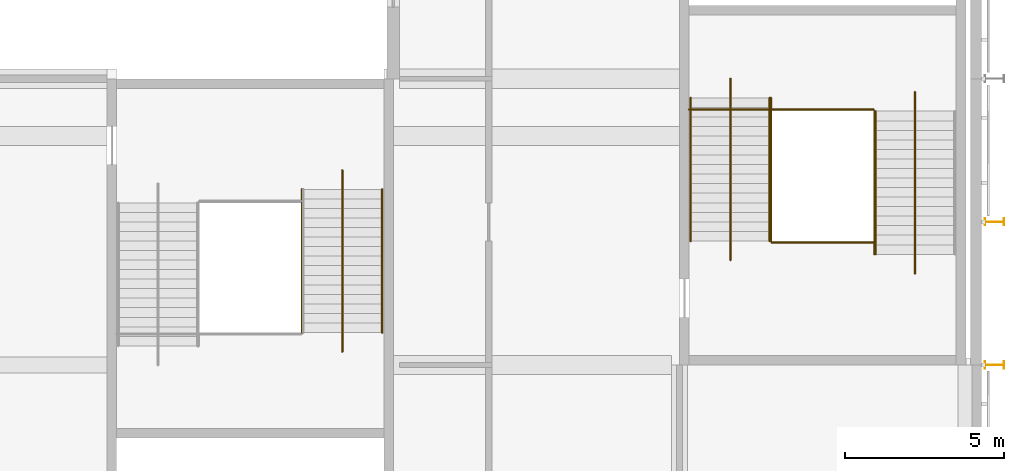
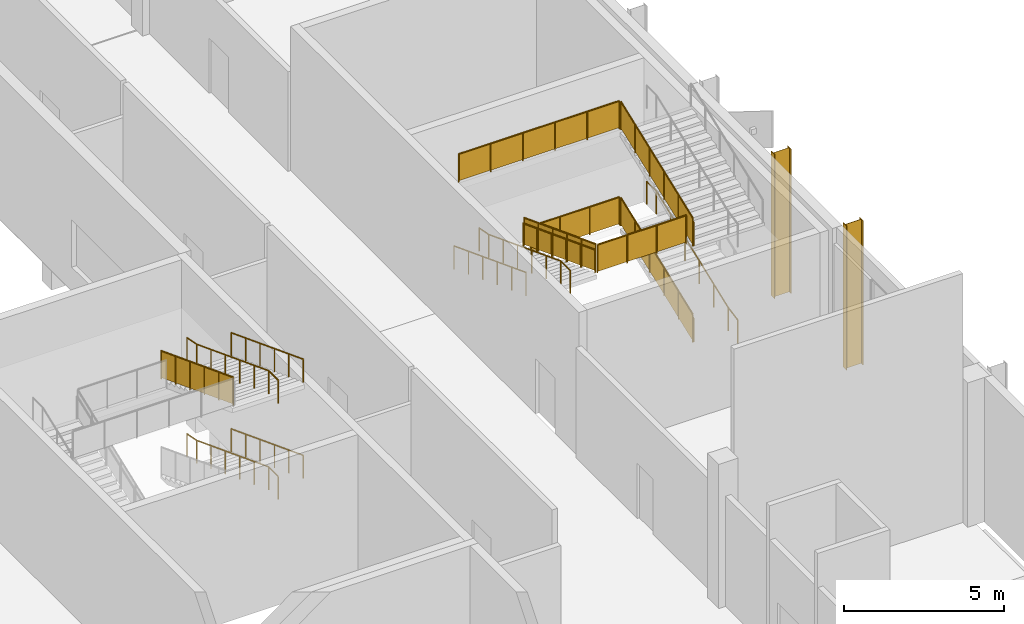
# One storey, part 80 of 84: 17 railings, 2 shading devices.
"""IFC4 building model written with IfcOpenShell, lengths in metres."""

import ifcopenshell
import ifcopenshell.guid

model = None  # the IFC model being written
_history = None  # IfcOwnerHistory: only IFC2X3 demands one
_inside = {}  # id of a spatial element -> (the spatial element, [elements in it])
_under = {}  # id of a project, library or spatial element -> (it, [spatial elements below it])
_declared = {}  # id of a project -> (the project, [libraries it declares])
_typed = {}  # id of a type object -> (the type object, [elements of that type])
_made_of = {}  # id of a material, layer set ... -> (it, [elements and type objects made of it])


def new_model(schema):
    """Start an empty IFC model of exactly this schema.

    Asked for "IFC4X3", IfcOpenShell would pick the latest addendum, in which some entities
    have other attributes; the version numbers below select the first issue.
    IFC2X3 requires an IfcOwnerHistory on every rooted entity: one is made here for all.
    """
    global model, _history
    if schema == "IFC4X3":
        model = ifcopenshell.file(schema_version=(4, 3, 0, 0))
    else:
        model = ifcopenshell.file(schema=schema)
    _inside.clear()
    _under.clear()
    _declared.clear()
    _typed.clear()
    _made_of.clear()
    _history = None
    if model.schema == "IFC2X3":
        org = make("IfcOrganization", Name="unknown")
        user = make(
            "IfcPersonAndOrganization",
            ThePerson=make("IfcPerson", FamilyName="unknown"),
            TheOrganization=org,
        )
        app = make(
            "IfcApplication",
            ApplicationDeveloper=org,
            Version="unknown",
            ApplicationFullName="unknown",
            ApplicationIdentifier="unknown",
        )
        _history = make(
            "IfcOwnerHistory",
            OwningUser=user,
            OwningApplication=app,
            ChangeAction="ADDED",
            CreationDate=0,
        )
    return model


def make(cls, **values):
    """One entity of the class cls with the attributes given. An attribute that is None is left unset."""
    return model.create_entity(
        cls, **{name: value for name, value in values.items() if value is not None}
    )


def rooted(cls, **values):
    """An entity with a GlobalId (a new one), such as an element, a storey or a relation."""
    return make(cls, GlobalId=ifcopenshell.guid.new(), OwnerHistory=_history, **values)


def si_unit(unit_type, name, prefix=None):
    """IfcSIUnit, for example si_unit("LENGTHUNIT", "METRE", prefix="MILLI")."""
    return make("IfcSIUnit", UnitType=unit_type, Prefix=prefix, Name=name)


def assignment(units):
    """IfcUnitAssignment: the units of a project."""
    return None if units is None else make("IfcUnitAssignment", Units=units)


def point(xyz):
    """IfcCartesianPoint."""
    return None if xyz is None else make("IfcCartesianPoint", Coordinates=xyz)


def direction(xyz):
    """IfcDirection."""
    return None if xyz is None else make("IfcDirection", DirectionRatios=xyz)


def frame(location, z_axis=None, x_axis=None):
    """IfcAxis2Placement3D, a coordinate frame: its origin and axes. An axis left out is left unset."""
    return make(
        "IfcAxis2Placement3D",
        Location=point(location),
        Axis=direction(z_axis),
        RefDirection=direction(x_axis),
    )


def frame_2d(location, x_axis=None):
    """IfcAxis2Placement2D, a coordinate frame in the plane: its origin and x axis."""
    return make(
        "IfcAxis2Placement2D", Location=point(location), RefDirection=direction(x_axis)
    )


def origin():
    """The frame at (0, 0, 0) with its axes left unset."""
    return frame((0.0, 0.0, 0.0))


def origin_2d():
    """The frame at (0, 0) in the plane with its x axis left unset."""
    return frame_2d((0.0, 0.0))


def place(relative_to, where):
    """IfcLocalPlacement: puts the frame where relative to a parent placement (None: the world)."""
    return make(
        "IfcLocalPlacement", PlacementRelTo=relative_to, RelativePlacement=where
    )


def context(
    kind, dimensions, precision=None, world=None, true_north=None, identifier=None
):
    """IfcGeometricRepresentationContext, for example the 3D "Model" context."""
    return make(
        "IfcGeometricRepresentationContext",
        ContextIdentifier=identifier,
        ContextType=kind,
        CoordinateSpaceDimension=dimensions,
        Precision=precision,
        WorldCoordinateSystem=world,
        TrueNorth=true_north,
    )


def subcontext(parent, identifier, kind, view, scale=None):
    """IfcGeometricRepresentationSubContext, for example "Body" below "Model"."""
    return make(
        "IfcGeometricRepresentationSubContext",
        ContextIdentifier=identifier,
        ContextType=kind,
        ParentContext=parent,
        TargetScale=scale,
        TargetView=view,
    )


def project(units=None, contexts=None):
    """IfcProject with its units and contexts."""
    return rooted(
        "IfcProject",
        Name="project",
        RepresentationContexts=contexts,
        UnitsInContext=assignment(units),
    )


def spatial(cls, under=None, at=None, **own):
    """A site, building, storey or space (cls), placed at a placement, below another one or the project."""
    s = rooted(cls, ObjectPlacement=at, **own)
    if under is not None:
        _under.setdefault(under.id(), (under, []))[1].append(s)
    return s


def polyline(points):
    """IfcPolyline through the points."""
    return make("IfcPolyline", Points=[point(p) for p in points])


def profile(cls, at=None, kind="AREA", **sizes):
    """A parametric profile (cls). Its sizes go by their IFC names, for example OverallWidth=200.0."""
    return make(cls, ProfileType=kind, Position=at, **sizes)


def circle(**sizes):
    """IfcCircleProfileDef."""
    return profile("IfcCircleProfileDef", **sizes)


def i_section(**sizes):
    """IfcIShapeProfileDef."""
    return profile("IfcIShapeProfileDef", **sizes)


def outline(outer, holes=None, kind="AREA"):
    """IfcArbitraryClosedProfileDef: a profile drawn as a closed curve; with holes, ...WithVoids."""
    if holes is None:
        return make("IfcArbitraryClosedProfileDef", ProfileType=kind, OuterCurve=outer)
    return make(
        "IfcArbitraryProfileDefWithVoids",
        ProfileType=kind,
        OuterCurve=outer,
        InnerCurves=holes,
    )


def extrude(swept, where, along, depth):
    """IfcExtrudedAreaSolid: the profile swept, set in the frame where, extruded along a direction by depth."""
    return make(
        "IfcExtrudedAreaSolid",
        SweptArea=swept,
        Position=where,
        ExtrudedDirection=direction(along),
        Depth=depth,
    )


def shape(context_of_items, identifier, shape_type, items):
    """IfcShapeRepresentation: the items that make up one representation, for example the "Body"."""
    return make(
        "IfcShapeRepresentation",
        ContextOfItems=context_of_items,
        RepresentationIdentifier=identifier,
        RepresentationType=shape_type,
        Items=items,
    )


def material(Name=None, Category=None):
    """IfcMaterial."""
    return make("IfcMaterial", Name=Name, Category=Category)


def material_profile(
    of_material, cross_section, Name=None, Category=None, Priority=None
):
    """IfcMaterialProfile: a cross section and its material."""
    return make(
        "IfcMaterialProfile",
        Name=Name,
        Material=of_material,
        Profile=cross_section,
        Priority=Priority,
        Category=Category,
    )


def profile_set(profiles, Name=None, composite=None):
    """IfcMaterialProfileSet."""
    return make(
        "IfcMaterialProfileSet",
        Name=Name,
        MaterialProfiles=profiles,
        CompositeProfile=composite,
    )


def made_of(thing, what):
    """Note that an element or type object is made of a material, layer set ...; save() writes the relation."""
    if what is not None:
        _made_of.setdefault(what.id(), (what, []))[1].append(thing)
    return thing


def type_object(cls, material=None, **own):
    """A type object (cls), such as IfcWallType, which elements share."""
    return made_of(rooted(cls, **own), material)


def element(
    cls,
    number,
    at=None,
    inside=None,
    cuts=None,
    type_object=None,
    material=None,
    context=None,
    identifier="Body",
    shape_type=None,
    held_by="IfcProductDefinitionShape",
    body=None,
    shapes=None,
    **own,
):
    """One element of the class cls, such as IfcWall. Its Tag is "e" and its number.

    at: its placement. inside: the storey or other place that contains it. cuts: it is an
    opening in that element (IfcRelVoidsElement). A single representation is given by context,
    identifier, shape_type and body (its items); several are given by shapes. held_by: the class
    of the entity that holds the representations. save() writes the other relations.
    """
    e = rooted(cls, Tag="e%d" % number, ObjectPlacement=at, **own)
    if body is not None:
        shapes = [shape(context, identifier, shape_type, body)]
    if shapes is not None:
        e.Representation = make(held_by, Representations=shapes)
    if inside is not None:
        _inside.setdefault(inside.id(), (inside, []))[1].append(e)
    if cuts is not None:
        rooted(
            "IfcRelVoidsElement", RelatingBuildingElement=cuts, RelatedOpeningElement=e
        )
    if type_object is not None:
        _typed.setdefault(type_object.id(), (type_object, []))[1].append(e)
    return made_of(e, material)


def aggregate(whole, parts):
    """IfcRelAggregates: a whole, such as a stair, and the parts it consists of."""
    return rooted("IfcRelAggregates", RelatingObject=whole, RelatedObjects=parts)


def save(model, path):
    """Write the relations noted so far, then the file.

    IfcRelAggregates (storeys below a building ...), IfcRelContainedInSpatialStructure (elements
    in a storey), IfcRelDefinesByType, IfcRelAssociatesMaterial and IfcRelDeclares: one each for
    every whole, place, type object, material and project.
    """
    for whole, parts in _under.values():
        aggregate(whole, parts)
    for where, things in _inside.values():
        rooted(
            "IfcRelContainedInSpatialStructure",
            RelatedElements=things,
            RelatingStructure=where,
        )
    for kind, things in _typed.values():
        rooted("IfcRelDefinesByType", RelatedObjects=things, RelatingType=kind)
    for what, things in _made_of.values():
        rooted("IfcRelAssociatesMaterial", RelatedObjects=things, RelatingMaterial=what)
    for by, libraries in _declared.values():
        rooted("IfcRelDeclares", RelatingContext=by, RelatedDefinitions=libraries)
    model.write(path)


model = new_model("IFC4")

# Units and contexts
model_context = context("Model", 3, precision=1e-05, world=origin(), true_north=direction((0.0, 1.0)))
body_context = subcontext(model_context, "Body", "Model", "MODEL_VIEW")
ifc_project = project(units=[si_unit("LENGTHUNIT", "METRE"), si_unit("AREAUNIT", "SQUARE_METRE"), si_unit("VOLUMEUNIT", "CUBIC_METRE"), si_unit("PLANEANGLEUNIT", "RADIAN"), si_unit("MASSUNIT", "GRAM", prefix="KILO")], contexts=[model_context])

# Site, building, storey
site_placement = place(None, origin())
site = spatial("IfcSite", under=ifc_project, at=site_placement, CompositionType="ELEMENT")
building_placement = place(site_placement, origin())
building = spatial("IfcBuilding", under=site, at=building_placement, Name="Silverbay Arena", CompositionType="ELEMENT")
storey_placement = place(building_placement, frame((0.0, 0.0, 28.0)))
storey = spatial("IfcBuildingStorey", under=building, at=storey_placement, Name="L04", CompositionType="ELEMENT", Elevation=28.0)

# Railings
ifc_material_1 = material(Name="Stainless steel", Category="steel")
railing_type_1 = type_object("IfcRailingType", Name="Stair guard 1100", PredefinedType="GUARDRAIL", material=ifc_material_1)
railing_1_placement = place(storey_placement, frame((204.125, 57.4794921875, 0.114501953125)))
element("IfcRailing", 1, at=railing_1_placement, inside=storey, type_object=railing_type_1, Name="Stair ST-E1 L04 to L05 flight 1 guard left", PredefinedType="GUARDRAIL", context=body_context, shape_type="SweptSolid", body=[
    extrude(circle(Radius=0.02392578125, at=origin_2d()), frame((0.0, 0.0, 1.076171875), z_axis=(0.0, 0.93417907455, 0.356804507641), x_axis=(-1.0, 0.0, 0.0)), (0.0, 0.0, 1.0), 4.817138671875),
    extrude(outline(polyline([(-0.008056640625, 0.046875), (0.907958984375, 0.396728515625), (0.907958984375, 1.39990234375), (-0.008056640625, 1.050048828125), (-0.008056640625, 0.046875)])), frame((-0.0029296875, 0.0, 0.0), z_axis=(1.0, 0.0, 0.0), x_axis=(0.0, 1.0, 0.0)), (0.0, 0.0, 1.0), 0.006103515625),
    extrude(outline(polyline([(-0.008056640625, 0.390625), (0.907958984375, 0.740478515625), (0.907958984375, 1.74365234375), (-0.008056640625, 1.393798828125), (-0.008056640625, 0.390625)])), frame((-0.0029296875, 0.89990234375, 0.0), z_axis=(1.0, 0.0, 0.0), x_axis=(0.0, 1.0, 0.0)), (0.0, 0.0, 1.0), 0.006103515625),
    extrude(outline(polyline([(-0.008056640625, 0.734375), (0.907958984375, 1.084228515625), (0.907958984375, 2.08740234375), (-0.008056640625, 1.737548828125), (-0.008056640625, 0.734375)])), frame((-0.0029296875, 1.800048828125, 0.0), z_axis=(1.0, 0.0, 0.0), x_axis=(0.0, 1.0, 0.0)), (0.0, 0.0, 1.0), 0.006103515625),
    extrude(outline(polyline([(-0.008056640625, 1.078125), (0.907958984375, 1.427978515625), (0.907958984375, 2.43115234375), (-0.008056640625, 2.081298828125), (-0.008056640625, 1.078125)])), frame((-0.0029296875, 2.699951171875, 0.0), z_axis=(1.0, 0.0, 0.0), x_axis=(0.0, 1.0, 0.0)), (0.0, 0.0, 1.0), 0.006103515625),
    extrude(outline(polyline([(-0.008056640625, 1.421875), (0.907958984375, 1.771728515625), (0.907958984375, 2.77490234375), (-0.008056640625, 2.425048828125), (-0.008056640625, 1.421875)])), frame((-0.0029296875, 3.60009765625, 0.0), z_axis=(1.0, 0.0, 0.0), x_axis=(0.0, 1.0, 0.0)), (0.0, 0.0, 1.0), 0.006103515625),
    extrude(circle(Radius=0.02099609375, at=origin_2d()), origin(), (0.0, 0.0, 1.0), 1.052001953125),
    extrude(circle(Radius=0.02099609375, at=origin_2d()), frame((0.0, 0.89990234375, 0.34375)), (0.0, 0.0, 1.0), 1.052001953125),
    extrude(circle(Radius=0.02099609375, at=origin_2d()), frame((0.0, 1.800048828125, 0.6875)), (0.0, 0.0, 1.0), 1.052001953125),
    extrude(circle(Radius=0.02099609375, at=origin_2d()), frame((0.0, 2.699951171875, 1.03125)), (0.0, 0.0, 1.0), 1.052001953125),
    extrude(circle(Radius=0.02099609375, at=origin_2d()), frame((0.0, 3.60009765625, 1.375)), (0.0, 0.0, 1.0), 1.052001953125),
    extrude(circle(Radius=0.02099609375, at=origin_2d()), frame((0.0, 4.5, 1.71875)), (0.0, 0.0, 1.0), 1.052001953125),
])
railing_2_placement = place(storey_placement, frame((200.875, 62.39990234375, 1.947998046875)))
element("IfcRailing", 2, at=railing_2_placement, inside=storey, type_object=railing_type_1, Name="Stair ST-E1 L04 to L05 flight 2 guard right", PredefinedType="GUARDRAIL", context=body_context, shape_type="SweptSolid", body=[
    extrude(circle(Radius=0.02392578125, at=origin_2d()), frame((0.0, 0.0, 1.076171875), z_axis=(0.0, -0.93417907455, 0.356804507641), x_axis=(1.0, 0.0, 0.0)), (0.0, 0.0, 1.0), 4.817138671875),
    extrude(outline(polyline([(-0.008056640625, 0.046875), (0.907958984375, 0.396728515625), (0.907958984375, 1.39990234375), (-0.008056640625, 1.050048828125), (-0.008056640625, 0.046875)])), frame((0.0029296875, 0.0, 0.0), z_axis=(-1.0, 0.0, 0.0), x_axis=(0.0, -1.0, 0.0)), (0.0, 0.0, 1.0), 0.006103515625),
    extrude(outline(polyline([(-0.008056640625, 0.390625), (0.907958984375, 0.740478515625), (0.907958984375, 1.74365234375), (-0.008056640625, 1.393798828125), (-0.008056640625, 0.390625)])), frame((0.0029296875, -0.89990234375, 0.0), z_axis=(-1.0, 0.0, 0.0), x_axis=(0.0, -1.0, 0.0)), (0.0, 0.0, 1.0), 0.006103515625),
    extrude(outline(polyline([(-0.008056640625, 0.734375), (0.907958984375, 1.084228515625), (0.907958984375, 2.08740234375), (-0.008056640625, 1.737548828125), (-0.008056640625, 0.734375)])), frame((0.0029296875, -1.800048828125, 0.0), z_axis=(-1.0, 0.0, 0.0), x_axis=(0.0, -1.0, 0.0)), (0.0, 0.0, 1.0), 0.006103515625),
    extrude(outline(polyline([(-0.008056640625, 1.078125), (0.907958984375, 1.427978515625), (0.907958984375, 2.43115234375), (-0.008056640625, 2.081298828125), (-0.008056640625, 1.078125)])), frame((0.0029296875, -2.699951171875, 0.0), z_axis=(-1.0, 0.0, 0.0), x_axis=(0.0, -1.0, 0.0)), (0.0, 0.0, 1.0), 0.006103515625),
    extrude(outline(polyline([(-0.008056640625, 1.421875), (0.907958984375, 1.771728515625), (0.907958984375, 2.77490234375), (-0.008056640625, 2.425048828125), (-0.008056640625, 1.421875)])), frame((0.0029296875, -3.60009765625, 0.0), z_axis=(-1.0, 0.0, 0.0), x_axis=(0.0, -1.0, 0.0)), (0.0, 0.0, 1.0), 0.006103515625),
    extrude(circle(Radius=0.02099609375, at=origin_2d()), origin(), (0.0, 0.0, 1.0), 1.052001953125),
    extrude(circle(Radius=0.02099609375, at=origin_2d()), frame((0.0, -0.89990234375, 0.34375)), (0.0, 0.0, 1.0), 1.052001953125),
    extrude(circle(Radius=0.02099609375, at=origin_2d()), frame((0.0, -1.800048828125, 0.6875)), (0.0, 0.0, 1.0), 1.052001953125),
    extrude(circle(Radius=0.02099609375, at=origin_2d()), frame((0.0, -2.699951171875, 1.03125)), (0.0, 0.0, 1.0), 1.052001953125),
    extrude(circle(Radius=0.02099609375, at=origin_2d()), frame((0.0, -3.60009765625, 1.375)), (0.0, 0.0, 1.0), 1.052001953125),
    extrude(circle(Radius=0.02099609375, at=origin_2d()), frame((0.0, -4.5, 1.71875)), (0.0, 0.0, 1.0), 1.052001953125),
])
railing_3_placement = place(storey_placement, frame((204.125, 57.4794921875, 3.78125)))
element("IfcRailing", 3, at=railing_3_placement, inside=storey, type_object=railing_type_1, Name="Stair ST-E1 L04 to L05 flight 3 guard left", PredefinedType="GUARDRAIL", context=body_context, shape_type="SweptSolid", body=[
    extrude(circle(Radius=0.02392578125, at=origin_2d()), frame((0.0, 0.0, 1.076171875), z_axis=(0.0, 0.93417907455, 0.356804507641), x_axis=(-1.0, 0.0, 0.0)), (0.0, 0.0, 1.0), 4.817138671875),
    extrude(outline(polyline([(-0.008056640625, 0.046875), (0.907958984375, 0.396728515625), (0.907958984375, 1.39990234375), (-0.008056640625, 1.050048828125), (-0.008056640625, 0.046875)])), frame((-0.0029296875, 0.0, 0.0), z_axis=(1.0, 0.0, 0.0), x_axis=(0.0, 1.0, 0.0)), (0.0, 0.0, 1.0), 0.006103515625),
    extrude(outline(polyline([(-0.008056640625, 0.390625), (0.907958984375, 0.740478515625), (0.907958984375, 1.74365234375), (-0.008056640625, 1.393798828125), (-0.008056640625, 0.390625)])), frame((-0.0029296875, 0.89990234375, 0.0), z_axis=(1.0, 0.0, 0.0), x_axis=(0.0, 1.0, 0.0)), (0.0, 0.0, 1.0), 0.006103515625),
    extrude(outline(polyline([(-0.008056640625, 0.734375), (0.907958984375, 1.084228515625), (0.907958984375, 2.08740234375), (-0.008056640625, 1.737548828125), (-0.008056640625, 0.734375)])), frame((-0.0029296875, 1.800048828125, 0.0), z_axis=(1.0, 0.0, 0.0), x_axis=(0.0, 1.0, 0.0)), (0.0, 0.0, 1.0), 0.006103515625),
    extrude(outline(polyline([(-0.008056640625, 1.078125), (0.907958984375, 1.427978515625), (0.907958984375, 2.43115234375), (-0.008056640625, 2.081298828125), (-0.008056640625, 1.078125)])), frame((-0.0029296875, 2.699951171875, 0.0), z_axis=(1.0, 0.0, 0.0), x_axis=(0.0, 1.0, 0.0)), (0.0, 0.0, 1.0), 0.006103515625),
    extrude(outline(polyline([(-0.008056640625, 1.421875), (0.907958984375, 1.771728515625), (0.907958984375, 2.77490234375), (-0.008056640625, 2.425048828125), (-0.008056640625, 1.421875)])), frame((-0.0029296875, 3.60009765625, 0.0), z_axis=(1.0, 0.0, 0.0), x_axis=(0.0, 1.0, 0.0)), (0.0, 0.0, 1.0), 0.006103515625),
    extrude(circle(Radius=0.02099609375, at=origin_2d()), origin(), (0.0, 0.0, 1.0), 1.052001953125),
    extrude(circle(Radius=0.02099609375, at=origin_2d()), frame((0.0, 0.89990234375, 0.34375)), (0.0, 0.0, 1.0), 1.052001953125),
    extrude(circle(Radius=0.02099609375, at=origin_2d()), frame((0.0, 1.800048828125, 0.6875)), (0.0, 0.0, 1.0), 1.052001953125),
    extrude(circle(Radius=0.02099609375, at=origin_2d()), frame((0.0, 2.699951171875, 1.03125)), (0.0, 0.0, 1.0), 1.052001953125),
    extrude(circle(Radius=0.02099609375, at=origin_2d()), frame((0.0, 3.60009765625, 1.375)), (0.0, 0.0, 1.0), 1.052001953125),
    extrude(circle(Radius=0.02099609375, at=origin_2d()), frame((0.0, 4.5, 1.71875)), (0.0, 0.0, 1.0), 1.052001953125),
])
for number, where, name in (
    (4, (200.89990234375, 62.029541015625, 1.833251953125), "Stair ST-E1 L04 to L05 landing 1 guard"),
    (5, (200.89990234375, 57.85009765625, 3.666748046875), "Stair ST-E1 L04 to L05 landing 2 guard"),
):
    element("IfcRailing", number, at=place(storey_placement, frame(where)), inside=storey, type_object=railing_type_1, Name=name, PredefinedType="GUARDRAIL", context=body_context, shape_type="SweptSolid", body=[
        extrude(circle(Radius=0.02392578125, at=origin_2d()), frame((0.0, 0.0, 1.076171875), z_axis=(1.0, 0.0, 0.0), x_axis=(0.0, 1.0, 0.0)), (0.0, 0.0, 1.0), 3.2001953125),
        extrude(outline(polyline([(-0.008056640625, 0.050048828125), (1.07470703125, 0.050048828125), (1.07470703125, 1.052978515625), (-0.008056640625, 1.052978515625), (-0.008056640625, 0.050048828125)])), frame((0.0, 0.0029296875, 0.0), z_axis=(0.0, -1.0, 0.0), x_axis=(1.0, 0.0, 0.0)), (0.0, 0.0, 1.0), 0.006103515625),
        extrude(outline(polyline([(-0.008056640625, 0.050048828125), (1.07470703125, 0.050048828125), (1.07470703125, 1.052978515625), (-0.008056640625, 1.052978515625), (-0.008056640625, 0.050048828125)])), frame((1.066650390625, 0.0029296875, 0.0), z_axis=(0.0, -1.0, 0.0), x_axis=(1.0, 0.0, 0.0)), (0.0, 0.0, 1.0), 0.006103515625),
        extrude(outline(polyline([(-0.008056640625, 0.050048828125), (1.07470703125, 0.050048828125), (1.07470703125, 1.052978515625), (-0.008056640625, 1.052978515625), (-0.008056640625, 0.050048828125)])), frame((2.133544921875, 0.0029296875, 0.0), z_axis=(0.0, -1.0, 0.0), x_axis=(1.0, 0.0, 0.0)), (0.0, 0.0, 1.0), 0.006103515625),
        extrude(circle(Radius=0.02099609375, at=origin_2d()), origin(), (0.0, 0.0, 1.0), 1.052001953125),
        extrude(circle(Radius=0.02099609375, at=origin_2d()), frame((1.066650390625, 0.0, 0.0)), (0.0, 0.0, 1.0), 1.052001953125),
        extrude(circle(Radius=0.02099609375, at=origin_2d()), frame((2.133544921875, 0.0, 0.0)), (0.0, 0.0, 1.0), 1.052001953125),
        extrude(circle(Radius=0.02099609375, at=origin_2d()), frame((3.2001953125, 0.0, 0.0)), (0.0, 0.0, 1.0), 1.052001953125),
    ])
railing_4_placement = place(storey_placement, frame((204.10009765625, 62.029541015625, 5.5)))
element("IfcRailing", 6, at=railing_4_placement, inside=storey, type_object=railing_type_1, Name="Stair ST-E1 L04 to L05 landing 3 guard", PredefinedType="GUARDRAIL", context=body_context, shape_type="SweptSolid", body=[
    extrude(circle(Radius=0.02392578125, at=origin_2d()), frame((0.0, 0.0, 1.076171875), z_axis=(-1.0, 0.0, 0.0), x_axis=(0.0, -1.0, 0.0)), (0.0, 0.0, 1.0), 5.800048828125),
    extrude(outline(polyline([(-0.008056640625, 0.050048828125), (1.16796875, 0.050048828125), (1.16796875, 1.052978515625), (-0.008056640625, 1.052978515625), (-0.008056640625, 0.050048828125)])), frame((0.0, -0.0029296875, 0.0), z_axis=(0.0, 1.0, 0.0), x_axis=(-1.0, 0.0, 0.0)), (0.0, 0.0, 1.0), 0.006103515625),
    extrude(outline(polyline([(-0.008056640625, 0.050048828125), (1.16796875, 0.050048828125), (1.16796875, 1.052978515625), (-0.008056640625, 1.052978515625), (-0.008056640625, 0.050048828125)])), frame((-1.159912109375, -0.0029296875, 0.0), z_axis=(0.0, 1.0, 0.0), x_axis=(-1.0, 0.0, 0.0)), (0.0, 0.0, 1.0), 0.006103515625),
    extrude(outline(polyline([(-0.008056640625, 0.050048828125), (1.16796875, 0.050048828125), (1.16796875, 1.052978515625), (-0.008056640625, 1.052978515625), (-0.008056640625, 0.050048828125)])), frame((-2.320068359375, -0.0029296875, 0.0), z_axis=(0.0, 1.0, 0.0), x_axis=(-1.0, 0.0, 0.0)), (0.0, 0.0, 1.0), 0.006103515625),
    extrude(outline(polyline([(-0.008056640625, 0.050048828125), (1.16796875, 0.050048828125), (1.16796875, 1.052978515625), (-0.008056640625, 1.052978515625), (-0.008056640625, 0.050048828125)])), frame((-3.47998046875, -0.0029296875, 0.0), z_axis=(0.0, 1.0, 0.0), x_axis=(-1.0, 0.0, 0.0)), (0.0, 0.0, 1.0), 0.006103515625),
    extrude(outline(polyline([(-0.008056640625, 0.050048828125), (1.16796875, 0.050048828125), (1.16796875, 1.052978515625), (-0.008056640625, 1.052978515625), (-0.008056640625, 0.050048828125)])), frame((-4.64013671875, -0.0029296875, 0.0), z_axis=(0.0, 1.0, 0.0), x_axis=(-1.0, 0.0, 0.0)), (0.0, 0.0, 1.0), 0.006103515625),
    extrude(circle(Radius=0.02099609375, at=origin_2d()), origin(), (0.0, 0.0, 1.0), 1.052001953125),
    extrude(circle(Radius=0.02099609375, at=origin_2d()), frame((-1.159912109375, 0.0, 0.0)), (0.0, 0.0, 1.0), 1.052001953125),
    extrude(circle(Radius=0.02099609375, at=origin_2d()), frame((-2.320068359375, 0.0, 0.0)), (0.0, 0.0, 1.0), 1.052001953125),
    extrude(circle(Radius=0.02099609375, at=origin_2d()), frame((-3.47998046875, 0.0, 0.0)), (0.0, 0.0, 1.0), 1.052001953125),
    extrude(circle(Radius=0.02099609375, at=origin_2d()), frame((-4.64013671875, 0.0, 0.0)), (0.0, 0.0, 1.0), 1.052001953125),
    extrude(circle(Radius=0.02099609375, at=origin_2d()), frame((-5.800048828125, 0.0, 0.0)), (0.0, 0.0, 1.0), 1.052001953125),
])
railing_5_placement = place(storey_placement, frame((186.125, 59.5205078125, 3.78125)))
element("IfcRailing", 7, at=railing_5_placement, inside=storey, type_object=railing_type_1, Name="Stair ST-SE2 L04 to L05 flight 3 guard left", PredefinedType="GUARDRAIL", context=body_context, shape_type="SweptSolid", body=[
    extrude(circle(Radius=0.02392578125, at=origin_2d()), frame((0.0, 0.0, 1.076171875), z_axis=(0.0, -0.93417907455, 0.356804507641), x_axis=(1.0, 0.0, 0.0)), (0.0, 0.0, 1.0), 4.817138671875),
    extrude(outline(polyline([(-0.008056640625, 0.046875), (0.907958984375, 0.396728515625), (0.907958984375, 1.39990234375), (-0.008056640625, 1.050048828125), (-0.008056640625, 0.046875)])), frame((0.0029296875, 0.0, 0.0), z_axis=(-1.0, 0.0, 0.0), x_axis=(0.0, -1.0, 0.0)), (0.0, 0.0, 1.0), 0.006103515625),
    extrude(outline(polyline([(-0.008056640625, 0.390625), (0.907958984375, 0.740478515625), (0.907958984375, 1.74365234375), (-0.008056640625, 1.393798828125), (-0.008056640625, 0.390625)])), frame((0.0029296875, -0.89990234375, 0.0), z_axis=(-1.0, 0.0, 0.0), x_axis=(0.0, -1.0, 0.0)), (0.0, 0.0, 1.0), 0.006103515625),
    extrude(outline(polyline([(-0.008056640625, 0.734375), (0.907958984375, 1.084228515625), (0.907958984375, 2.08740234375), (-0.008056640625, 1.737548828125), (-0.008056640625, 0.734375)])), frame((0.0029296875, -1.800048828125, 0.0), z_axis=(-1.0, 0.0, 0.0), x_axis=(0.0, -1.0, 0.0)), (0.0, 0.0, 1.0), 0.006103515625),
    extrude(outline(polyline([(-0.008056640625, 1.078125), (0.907958984375, 1.427978515625), (0.907958984375, 2.43115234375), (-0.008056640625, 2.081298828125), (-0.008056640625, 1.078125)])), frame((0.0029296875, -2.699951171875, 0.0), z_axis=(-1.0, 0.0, 0.0), x_axis=(0.0, -1.0, 0.0)), (0.0, 0.0, 1.0), 0.006103515625),
    extrude(outline(polyline([(-0.008056640625, 1.421875), (0.907958984375, 1.771728515625), (0.907958984375, 2.77490234375), (-0.008056640625, 2.425048828125), (-0.008056640625, 1.421875)])), frame((0.0029296875, -3.60009765625, 0.0), z_axis=(-1.0, 0.0, 0.0), x_axis=(0.0, -1.0, 0.0)), (0.0, 0.0, 1.0), 0.006103515625),
    extrude(circle(Radius=0.02099609375, at=origin_2d()), origin(), (0.0, 0.0, 1.0), 1.052001953125),
    extrude(circle(Radius=0.02099609375, at=origin_2d()), frame((0.0, -0.89990234375, 0.34375)), (0.0, 0.0, 1.0), 1.052001953125),
    extrude(circle(Radius=0.02099609375, at=origin_2d()), frame((0.0, -1.800048828125, 0.6875)), (0.0, 0.0, 1.0), 1.052001953125),
    extrude(circle(Radius=0.02099609375, at=origin_2d()), frame((0.0, -2.699951171875, 1.03125)), (0.0, 0.0, 1.0), 1.052001953125),
    extrude(circle(Radius=0.02099609375, at=origin_2d()), frame((0.0, -3.60009765625, 1.375)), (0.0, 0.0, 1.0), 1.052001953125),
    extrude(circle(Radius=0.02099609375, at=origin_2d()), frame((0.0, -4.5, 1.71875)), (0.0, 0.0, 1.0), 1.052001953125),
])
ifc_material_2 = material(Name="Stainless steel", Category="steel")
railing_type_2 = type_object("IfcRailingType", Name="Stair handrail 900", PredefinedType="HANDRAIL", material=ifc_material_2)
railing_6_placement = place(storey_placement, frame((204.1640625, 57.4794921875, 0.114501953125)))
element("IfcRailing", 8, at=railing_6_placement, inside=storey, type_object=railing_type_2, Name="Stair ST-E1 L04 to L05 flight 1 handrail left", PredefinedType="HANDRAIL", context=body_context, shape_type="SweptSolid", body=[
    extrude(circle(Radius=0.02392578125, at=origin_2d()), frame((0.0, 0.0, 0.8759765625), z_axis=(0.0, 0.93417907455, 0.356804507641), x_axis=(-1.0, 0.0, 0.0)), (0.0, 0.0, 1.0), 4.817138671875),
    extrude(circle(Radius=0.02099609375, at=origin_2d()), origin(), (0.0, 0.0, 1.0), 0.851806640625),
    extrude(circle(Radius=0.02099609375, at=origin_2d()), frame((0.0, 0.89990234375, 0.34375)), (0.0, 0.0, 1.0), 0.851806640625),
    extrude(circle(Radius=0.02099609375, at=origin_2d()), frame((0.0, 1.800048828125, 0.6875)), (0.0, 0.0, 1.0), 0.851806640625),
    extrude(circle(Radius=0.02099609375, at=origin_2d()), frame((0.0, 2.699951171875, 1.03125)), (0.0, 0.0, 1.0), 0.851806640625),
    extrude(circle(Radius=0.02099609375, at=origin_2d()), frame((0.0, 3.60009765625, 1.375)), (0.0, 0.0, 1.0), 0.851806640625),
    extrude(circle(Radius=0.02099609375, at=origin_2d()), frame((0.0, 4.5, 1.71875)), (0.0, 0.0, 1.0), 0.851806640625),
])
railing_7_placement = place(storey_placement, frame((205.39990234375, 56.879638671875, 0.0)))
element("IfcRailing", 9, at=railing_7_placement, inside=storey, type_object=railing_type_2, Name="Stair ST-E1 L04 to L05 flight 1 central handrail", PredefinedType="HANDRAIL", context=body_context, shape_type="SweptSolid", body=[
    extrude(circle(Radius=0.02392578125, at=origin_2d()), frame((0.0, 0.0, 0.8759765625), z_axis=(0.0, 0.982265007716, 0.187497878966), x_axis=(-1.0, 0.0, 0.0)), (0.0, 0.0, 1.0), 0.610595703125),
    extrude(circle(Radius=0.02392578125, at=origin_2d()), frame((0.0, 0.599853515625, 0.990234375), z_axis=(0.0, 0.93417907455, 0.356804507641), x_axis=(-1.0, 0.0, 0.0)), (0.0, 0.0, 1.0), 4.817138671875),
    extrude(circle(Radius=0.02392578125, at=origin_2d()), frame((0.0, 5.099853515625, 2.708984375), z_axis=(0.0, 1.0, 0.0), x_axis=(-1.0, 0.0, 0.0)), (0.0, 0.0, 1.0), 0.60009765625),
    extrude(circle(Radius=0.02099609375, at=origin_2d()), origin(), (0.0, 0.0, 1.0), 0.851806640625),
    extrude(circle(Radius=0.02099609375, at=origin_2d()), frame((0.0, 0.599853515625, 0.114501953125)), (0.0, 0.0, 1.0), 0.851806640625),
    extrude(circle(Radius=0.02099609375, at=origin_2d()), frame((0.0, 1.499755859375, 0.458251953125)), (0.0, 0.0, 1.0), 0.851806640625),
    extrude(circle(Radius=0.02099609375, at=origin_2d()), frame((0.0, 2.39990234375, 0.802001953125)), (0.0, 0.0, 1.0), 0.851806640625),
    extrude(circle(Radius=0.02099609375, at=origin_2d()), frame((0.0, 3.2998046875, 1.145751953125)), (0.0, 0.0, 1.0), 0.851806640625),
    extrude(circle(Radius=0.02099609375, at=origin_2d()), frame((0.0, 4.199951171875, 1.489501953125)), (0.0, 0.0, 1.0), 0.851806640625),
    extrude(circle(Radius=0.02099609375, at=origin_2d()), frame((0.0, 5.099853515625, 1.833251953125)), (0.0, 0.0, 1.0), 0.851806640625),
    extrude(circle(Radius=0.02099609375, at=origin_2d()), frame((0.0, 5.699951171875, 1.833251953125)), (0.0, 0.0, 1.0), 0.851806640625),
])
for number, where, name in (
    (10, (198.35009765625, 62.39990234375, 1.947998046875), "Stair ST-E1 L04 to L05 flight 2 handrail left"),
    (11, (200.8359375, 62.39990234375, 1.947998046875), "Stair ST-E1 L04 to L05 flight 2 handrail right"),
):
    element("IfcRailing", number, at=place(storey_placement, frame(where)), inside=storey, type_object=railing_type_2, Name=name, PredefinedType="HANDRAIL", context=body_context, shape_type="SweptSolid", body=[
        extrude(circle(Radius=0.02392578125, at=origin_2d()), frame((0.0, 0.0, 0.8759765625), z_axis=(0.0, -0.93417907455, 0.356804507641), x_axis=(1.0, 0.0, 0.0)), (0.0, 0.0, 1.0), 4.817138671875),
        extrude(circle(Radius=0.02099609375, at=origin_2d()), origin(), (0.0, 0.0, 1.0), 0.851806640625),
        extrude(circle(Radius=0.02099609375, at=origin_2d()), frame((0.0, -0.89990234375, 0.34375)), (0.0, 0.0, 1.0), 0.851806640625),
        extrude(circle(Radius=0.02099609375, at=origin_2d()), frame((0.0, -1.800048828125, 0.6875)), (0.0, 0.0, 1.0), 0.851806640625),
        extrude(circle(Radius=0.02099609375, at=origin_2d()), frame((0.0, -2.699951171875, 1.03125)), (0.0, 0.0, 1.0), 0.851806640625),
        extrude(circle(Radius=0.02099609375, at=origin_2d()), frame((0.0, -3.60009765625, 1.375)), (0.0, 0.0, 1.0), 0.851806640625),
        extrude(circle(Radius=0.02099609375, at=origin_2d()), frame((0.0, -4.5, 1.71875)), (0.0, 0.0, 1.0), 0.851806640625),
    ])
railing_8_placement = place(storey_placement, frame((199.60009765625, 63.0, 1.833251953125)))
element("IfcRailing", 12, at=railing_8_placement, inside=storey, type_object=railing_type_2, Name="Stair ST-E1 L04 to L05 flight 2 central handrail", PredefinedType="HANDRAIL", context=body_context, shape_type="SweptSolid", body=[
    extrude(circle(Radius=0.02392578125, at=origin_2d()), frame((0.0, 0.0, 0.8759765625), z_axis=(0.0, -0.982205411617, 0.1878098224), x_axis=(1.0, 0.0, 0.0)), (0.0, 0.0, 1.0), 0.611083984375),
    extrude(circle(Radius=0.02392578125, at=origin_2d()), frame((0.0, -0.60009765625, 0.99072265625), z_axis=(0.0, -0.93417907455, 0.356804507641), x_axis=(1.0, 0.0, 0.0)), (0.0, 0.0, 1.0), 4.817138671875),
    extrude(circle(Radius=0.02392578125, at=origin_2d()), frame((0.0, -5.10009765625, 2.70947265625), z_axis=(0.0, -1.0, 0.0), x_axis=(1.0, 0.0, 0.0)), (0.0, 0.0, 1.0), 0.599853515625),
    extrude(circle(Radius=0.02099609375, at=origin_2d()), origin(), (0.0, 0.0, 1.0), 0.851806640625),
    extrude(circle(Radius=0.02099609375, at=origin_2d()), frame((0.0, -0.60009765625, 0.11474609375)), (0.0, 0.0, 1.0), 0.851806640625),
    extrude(circle(Radius=0.02099609375, at=origin_2d()), frame((0.0, -1.5, 0.45849609375)), (0.0, 0.0, 1.0), 0.851806640625),
    extrude(circle(Radius=0.02099609375, at=origin_2d()), frame((0.0, -2.400146484375, 0.80224609375)), (0.0, 0.0, 1.0), 0.851806640625),
    extrude(circle(Radius=0.02099609375, at=origin_2d()), frame((0.0, -3.300048828125, 1.14599609375)), (0.0, 0.0, 1.0), 0.851806640625),
    extrude(circle(Radius=0.02099609375, at=origin_2d()), frame((0.0, -4.2001953125, 1.48974609375)), (0.0, 0.0, 1.0), 0.851806640625),
    extrude(circle(Radius=0.02099609375, at=origin_2d()), frame((0.0, -5.10009765625, 1.83349609375)), (0.0, 0.0, 1.0), 0.851806640625),
    extrude(circle(Radius=0.02099609375, at=origin_2d()), frame((0.0, -5.699951171875, 1.83349609375)), (0.0, 0.0, 1.0), 0.851806640625),
])
railing_9_placement = place(storey_placement, frame((204.1640625, 57.4794921875, 3.78125)))
element("IfcRailing", 13, at=railing_9_placement, inside=storey, type_object=railing_type_2, Name="Stair ST-E1 L04 to L05 flight 3 handrail left", PredefinedType="HANDRAIL", context=body_context, shape_type="SweptSolid", body=[
    extrude(circle(Radius=0.02392578125, at=origin_2d()), frame((0.0, 0.0, 0.8759765625), z_axis=(0.0, 0.93417907455, 0.356804507641), x_axis=(-1.0, 0.0, 0.0)), (0.0, 0.0, 1.0), 4.817138671875),
    extrude(circle(Radius=0.02099609375, at=origin_2d()), origin(), (0.0, 0.0, 1.0), 0.851806640625),
    extrude(circle(Radius=0.02099609375, at=origin_2d()), frame((0.0, 0.89990234375, 0.34375)), (0.0, 0.0, 1.0), 0.851806640625),
    extrude(circle(Radius=0.02099609375, at=origin_2d()), frame((0.0, 1.800048828125, 0.6875)), (0.0, 0.0, 1.0), 0.851806640625),
    extrude(circle(Radius=0.02099609375, at=origin_2d()), frame((0.0, 2.699951171875, 1.03125)), (0.0, 0.0, 1.0), 0.851806640625),
    extrude(circle(Radius=0.02099609375, at=origin_2d()), frame((0.0, 3.60009765625, 1.375)), (0.0, 0.0, 1.0), 0.851806640625),
    extrude(circle(Radius=0.02099609375, at=origin_2d()), frame((0.0, 4.5, 1.71875)), (0.0, 0.0, 1.0), 0.851806640625),
])
railing_10_placement = place(storey_placement, frame((188.64990234375, 59.5205078125, 0.114501953125)))
element("IfcRailing", 14, at=railing_10_placement, inside=storey, type_object=railing_type_2, Name="Stair ST-SE2 L04 to L05 flight 1 handrail right", PredefinedType="HANDRAIL", context=body_context, shape_type="SweptSolid", body=[
    extrude(circle(Radius=0.02392578125, at=origin_2d()), frame((0.0, 0.0, 0.8759765625), z_axis=(0.0, -0.93417907455, 0.356804507641), x_axis=(1.0, 0.0, 0.0)), (0.0, 0.0, 1.0), 4.817138671875),
    extrude(circle(Radius=0.02099609375, at=origin_2d()), origin(), (0.0, 0.0, 1.0), 0.851806640625),
    extrude(circle(Radius=0.02099609375, at=origin_2d()), frame((0.0, -0.89990234375, 0.34375)), (0.0, 0.0, 1.0), 0.851806640625),
    extrude(circle(Radius=0.02099609375, at=origin_2d()), frame((0.0, -1.800048828125, 0.6875)), (0.0, 0.0, 1.0), 0.851806640625),
    extrude(circle(Radius=0.02099609375, at=origin_2d()), frame((0.0, -2.699951171875, 1.03125)), (0.0, 0.0, 1.0), 0.851806640625),
    extrude(circle(Radius=0.02099609375, at=origin_2d()), frame((0.0, -3.60009765625, 1.375)), (0.0, 0.0, 1.0), 0.851806640625),
    extrude(circle(Radius=0.02099609375, at=origin_2d()), frame((0.0, -4.5, 1.71875)), (0.0, 0.0, 1.0), 0.851806640625),
])
railing_11_placement = place(storey_placement, frame((187.39990234375, 60.120361328125, 0.0)))
element("IfcRailing", 15, at=railing_11_placement, inside=storey, type_object=railing_type_2, Name="Stair ST-SE2 L04 to L05 flight 1 central handrail", PredefinedType="HANDRAIL", context=body_context, shape_type="SweptSolid", body=[
    extrude(circle(Radius=0.02392578125, at=origin_2d()), frame((0.0, 0.0, 0.8759765625), z_axis=(0.0, -0.982265007716, 0.187497878966), x_axis=(1.0, 0.0, 0.0)), (0.0, 0.0, 1.0), 0.610595703125),
    extrude(circle(Radius=0.02392578125, at=origin_2d()), frame((0.0, -0.599853515625, 0.990234375), z_axis=(0.0, -0.93417907455, 0.356804507641), x_axis=(1.0, 0.0, 0.0)), (0.0, 0.0, 1.0), 4.817138671875),
    extrude(circle(Radius=0.02392578125, at=origin_2d()), frame((0.0, -5.099853515625, 2.708984375), z_axis=(0.0, -1.0, 0.0), x_axis=(1.0, 0.0, 0.0)), (0.0, 0.0, 1.0), 0.60009765625),
    extrude(circle(Radius=0.02099609375, at=origin_2d()), origin(), (0.0, 0.0, 1.0), 0.851806640625),
    extrude(circle(Radius=0.02099609375, at=origin_2d()), frame((0.0, -0.599853515625, 0.114501953125)), (0.0, 0.0, 1.0), 0.851806640625),
    extrude(circle(Radius=0.02099609375, at=origin_2d()), frame((0.0, -1.499755859375, 0.458251953125)), (0.0, 0.0, 1.0), 0.851806640625),
    extrude(circle(Radius=0.02099609375, at=origin_2d()), frame((0.0, -2.39990234375, 0.802001953125)), (0.0, 0.0, 1.0), 0.851806640625),
    extrude(circle(Radius=0.02099609375, at=origin_2d()), frame((0.0, -3.2998046875, 1.145751953125)), (0.0, 0.0, 1.0), 0.851806640625),
    extrude(circle(Radius=0.02099609375, at=origin_2d()), frame((0.0, -4.199951171875, 1.489501953125)), (0.0, 0.0, 1.0), 0.851806640625),
    extrude(circle(Radius=0.02099609375, at=origin_2d()), frame((0.0, -5.099853515625, 1.833251953125)), (0.0, 0.0, 1.0), 0.851806640625),
    extrude(circle(Radius=0.02099609375, at=origin_2d()), frame((0.0, -5.699951171875, 1.833251953125)), (0.0, 0.0, 1.0), 0.851806640625),
])
railing_12_placement = place(storey_placement, frame((188.64990234375, 59.5205078125, 3.78125)))
element("IfcRailing", 16, at=railing_12_placement, inside=storey, type_object=railing_type_2, Name="Stair ST-SE2 L04 to L05 flight 3 handrail right", PredefinedType="HANDRAIL", context=body_context, shape_type="SweptSolid", body=[
    extrude(circle(Radius=0.02392578125, at=origin_2d()), frame((0.0, 0.0, 0.8759765625), z_axis=(0.0, -0.93417907455, 0.356804507641), x_axis=(1.0, 0.0, 0.0)), (0.0, 0.0, 1.0), 4.817138671875),
    extrude(circle(Radius=0.02099609375, at=origin_2d()), origin(), (0.0, 0.0, 1.0), 0.851806640625),
    extrude(circle(Radius=0.02099609375, at=origin_2d()), frame((0.0, -0.89990234375, 0.34375)), (0.0, 0.0, 1.0), 0.851806640625),
    extrude(circle(Radius=0.02099609375, at=origin_2d()), frame((0.0, -1.800048828125, 0.6875)), (0.0, 0.0, 1.0), 0.851806640625),
    extrude(circle(Radius=0.02099609375, at=origin_2d()), frame((0.0, -2.699951171875, 1.03125)), (0.0, 0.0, 1.0), 0.851806640625),
    extrude(circle(Radius=0.02099609375, at=origin_2d()), frame((0.0, -3.60009765625, 1.375)), (0.0, 0.0, 1.0), 0.851806640625),
    extrude(circle(Radius=0.02099609375, at=origin_2d()), frame((0.0, -4.5, 1.71875)), (0.0, 0.0, 1.0), 0.851806640625),
])
railing_13_placement = place(storey_placement, frame((187.39990234375, 60.120361328125, 3.666748046875)))
element("IfcRailing", 17, at=railing_13_placement, inside=storey, type_object=railing_type_2, Name="Stair ST-SE2 L04 to L05 flight 3 central handrail", PredefinedType="HANDRAIL", context=body_context, shape_type="SweptSolid", body=[
    extrude(circle(Radius=0.02392578125, at=origin_2d()), frame((0.0, 0.0, 0.8759765625), z_axis=(0.0, -0.982265007716, 0.187497878966), x_axis=(1.0, 0.0, 0.0)), (0.0, 0.0, 1.0), 0.610595703125),
    extrude(circle(Radius=0.02392578125, at=origin_2d()), frame((0.0, -0.599853515625, 0.990234375), z_axis=(0.0, -0.93417907455, 0.356804507641), x_axis=(1.0, 0.0, 0.0)), (0.0, 0.0, 1.0), 4.817138671875),
    extrude(circle(Radius=0.02392578125, at=origin_2d()), frame((0.0, -5.099853515625, 2.708984375), z_axis=(0.0, -1.0, 0.0), x_axis=(1.0, 0.0, 0.0)), (0.0, 0.0, 1.0), 0.60009765625),
    extrude(circle(Radius=0.02099609375, at=origin_2d()), origin(), (0.0, 0.0, 1.0), 0.851806640625),
    extrude(circle(Radius=0.02099609375, at=origin_2d()), frame((0.0, -0.599853515625, 0.114501953125)), (0.0, 0.0, 1.0), 0.851806640625),
    extrude(circle(Radius=0.02099609375, at=origin_2d()), frame((0.0, -1.499755859375, 0.458251953125)), (0.0, 0.0, 1.0), 0.851806640625),
    extrude(circle(Radius=0.02099609375, at=origin_2d()), frame((0.0, -2.39990234375, 0.802001953125)), (0.0, 0.0, 1.0), 0.851806640625),
    extrude(circle(Radius=0.02099609375, at=origin_2d()), frame((0.0, -3.2998046875, 1.145751953125)), (0.0, 0.0, 1.0), 0.851806640625),
    extrude(circle(Radius=0.02099609375, at=origin_2d()), frame((0.0, -4.199951171875, 1.489501953125)), (0.0, 0.0, 1.0), 0.851806640625),
    extrude(circle(Radius=0.02099609375, at=origin_2d()), frame((0.0, -5.099853515625, 1.833251953125)), (0.0, 0.0, 1.0), 0.851806640625),
    extrude(circle(Radius=0.02099609375, at=origin_2d()), frame((0.0, -5.699951171875, 1.833251953125)), (0.0, 0.0, 1.0), 0.851806640625),
])

# Shading devices
ifc_material_3 = material(Name="Steel S355", Category="steel")
ifc_material_profile = material_profile(ifc_material_3, i_section(OverallWidth=0.2275390625, OverallDepth=0.6025390625, WebThickness=0.010498046875, FlangeThickness=0.014892578125, at=origin_2d()), Name="UB 610x229x101")
ifc_profile_set = profile_set([ifc_material_profile], Name="Steel S355")
shading_device_type = type_object("IfcShadingDeviceType", Name="Steel fin UB 610x229x101", PredefinedType="USERDEFINED", material=ifc_profile_set)
for number, where, z_axis, x_axis, name in (
    (18, (207.9013671875, 54.0, 0.0), (0.0, 0.0, 1.0), (0.0, 1.0, 0.0), "Steel fin E L04 8"),
    (19, (207.9013671875, 58.5, 0.0), (0.0, 0.0, 1.0), (0.0, 1.0, 0.0), "Steel fin E L04 9"),
):
    element("IfcShadingDevice", number, at=place(storey_placement, frame(where, z_axis=z_axis, x_axis=x_axis)), inside=storey, type_object=shading_device_type, Name=name, ObjectType="FIN", PredefinedType="USERDEFINED", context=body_context, shape_type="SweptSolid", body=[
        extrude(i_section(OverallWidth=0.2275390625, OverallDepth=0.6025390625, WebThickness=0.010498046875, FlangeThickness=0.014892578125, at=origin_2d()), origin(), (0.0, 0.0, 1.0), 5.5),
    ])

save(model, "model.ifc")
